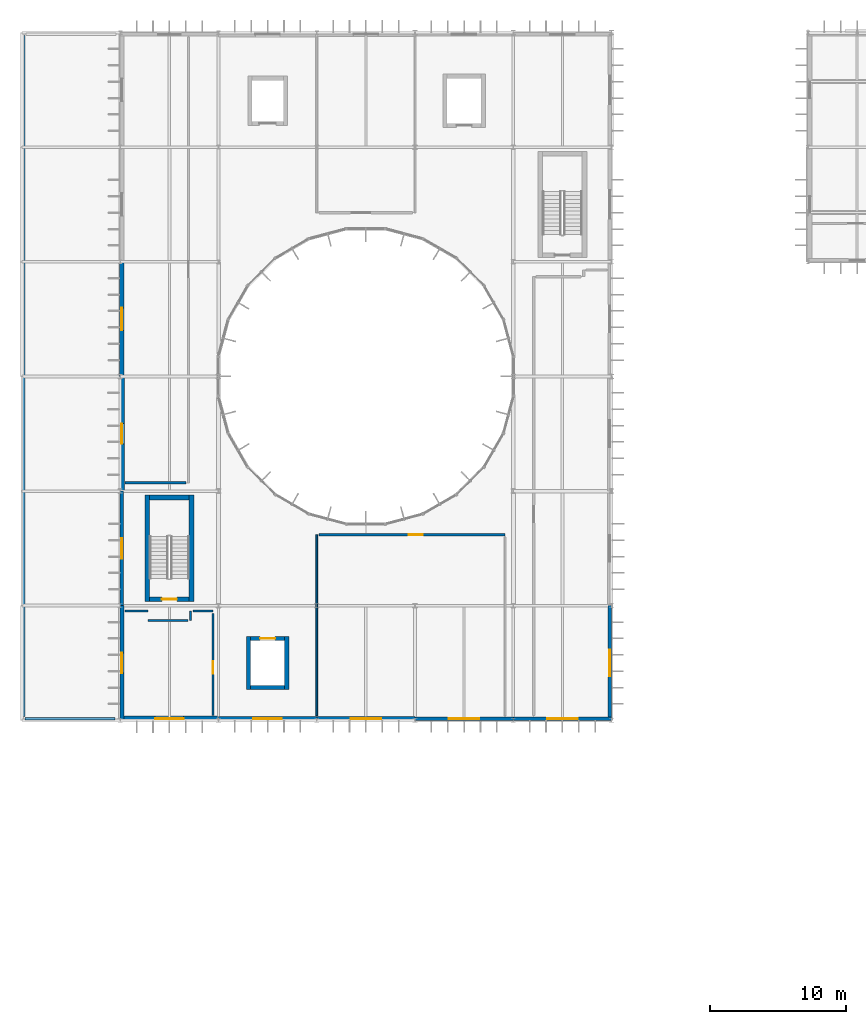
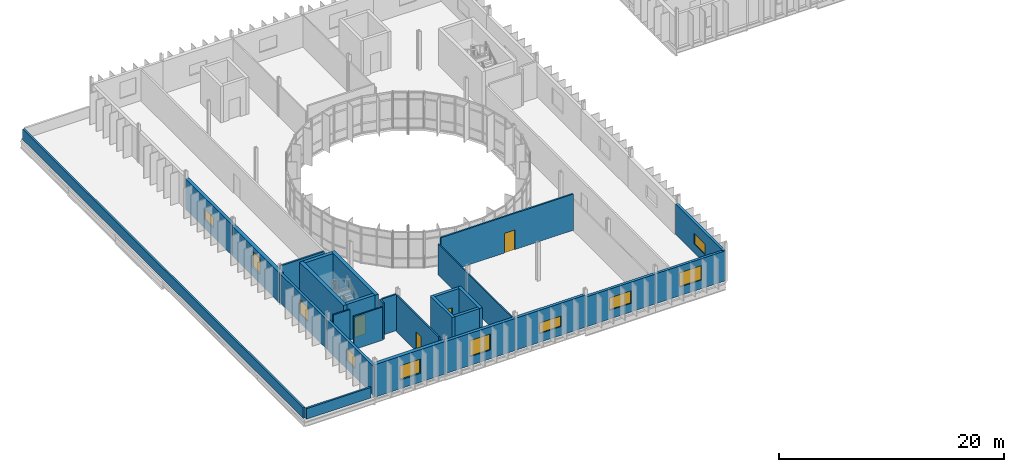
# One storey, part 37 of 52: 28 walls, 10 windows, 4 doors, 14 openings.
"""IFC4 building model written with IfcOpenShell, lengths in metres."""

from ifc_helpers import new_model, si_unit, direction, frame, frame_2d, origin, place, context, subcontext, project, spatial, rectangle, extrude, material, layer, layer_set, type_object, element, fill, save


model = new_model("IFC4")

# Units and contexts
model_context = context("Model", 3, precision=1e-05, world=origin(), true_north=direction((0.0, 1.0)))
body_context = subcontext(model_context, "Body", "Model", "MODEL_VIEW")
ifc_project = project(units=[si_unit("LENGTHUNIT", "METRE"), si_unit("AREAUNIT", "SQUARE_METRE"), si_unit("VOLUMEUNIT", "CUBIC_METRE"), si_unit("PLANEANGLEUNIT", "RADIAN"), si_unit("MASSUNIT", "GRAM", prefix="KILO")], contexts=[model_context])

# Site, building, storey
site_placement = place(None, origin())
site = spatial("IfcSite", under=ifc_project, at=site_placement, CompositionType="ELEMENT")
building_placement = place(site_placement, origin())
building = spatial("IfcBuilding", under=site, at=building_placement, Name="Qelthora Terrace Specialist Clinic", CompositionType="ELEMENT")
storey_placement = place(building_placement, frame((0.0, 0.0, 17.39990234375)))
storey = spatial("IfcBuildingStorey", under=building, at=storey_placement, Name="L04", CompositionType="ELEMENT", Elevation=17.39990234375)

# Walls
ifc_material_1 = material(Name="Concrete C40/50", Category="concrete")
ifc_layer_1 = layer(ifc_material_1, 0.300048828125)
ifc_layer_set_1 = layer_set([ifc_layer_1], Name="Concrete C40/50")
wall_type_1 = type_object("IfcWallType", Name="WAL-CORE-300-C40", PredefinedType="SHEAR", material=ifc_layer_set_1)
for number, where, z_axis, x_axis, name in (
    (1, (16.60009765625, 61.050048828125, 0.0), (0.0, 0.0, 1.0), (0.0, 1.0, 0.0), "Lift SL-01 L04 west shaft wall"),
    (2, (19.39990234375, 61.050048828125, 0.0), (0.0, 0.0, 1.0), (0.0, 1.0, 0.0), "Lift SL-01 L04 east shaft wall"),
):
    element("IfcWall", number, at=place(storey_placement, frame(where, z_axis=z_axis, x_axis=x_axis)), inside=storey, type_object=wall_type_1, Name=name, PredefinedType="SHEAR", context=body_context, shape_type="SweptSolid", body=[
        extrude(rectangle(XDim=3.89990234375, YDim=0.300048828125, at=frame_2d((1.949951171875, 0.0))), origin(), (0.0, 0.0, 1.0), 3.989990234375),
    ])

# Wall, opening, door
wall_1_placement = place(storey_placement, frame((16.75, 64.800048828125, 0.0), z_axis=(0.0, 0.0, 1.0), x_axis=(1.0, 0.0, 0.0)))
wall_1 = element("IfcWall", 3, at=wall_1_placement, inside=storey, type_object=wall_type_1, Name="Lift SL-01 L04 north shaft wall", PredefinedType="SHEAR", context=body_context, shape_type="SweptSolid", body=[
    extrude(rectangle(XDim=2.5, YDim=0.300048828125, at=frame_2d((1.25, 0.0))), origin(), (0.0, 0.0, 1.0), 3.989990234375),
])
opening_1_placement = place(wall_1_placement, frame((0.699951171875, 0.0, 0.0)))
opening_1 = element("IfcOpeningElement", 4, at=opening_1_placement, cuts=wall_1, Name="Opening LD-SL-01-L04", PredefinedType="OPENING", context=body_context, shape_type="SweptSolid", body=[
    extrude(rectangle(XDim=1.10009765625, YDim=2.14990234375, at=frame_2d((0.550048828125, 1.074951171875))), frame((0.0, 0.159912109375, 0.0), z_axis=(0.0, -1.0, 0.0), x_axis=(1.0, 0.0, 0.0)), (0.0, 0.0, 1.0), 0.320068359375),
])
ifc_material_2 = material(Name="Steel S355", Category="steel")
door_type_1 = type_object("IfcDoorType", Name="DOR-LIFT-1100X2150", OperationType="NOTDEFINED", PredefinedType="DOOR", material=ifc_material_2)
door_1_placement = place(opening_1_placement, origin())
door_1 = element("IfcDoor", 5, at=door_1_placement, inside=storey, type_object=door_type_1, Name="Lift landing sliding door LD-SL-01-L04", OperationType="DOUBLE_DOOR_SLIDING", OverallHeight=2.14990234375, OverallWidth=1.10009765625, PredefinedType="DOOR", context=body_context, shape_type="SweptSolid", body=[
    extrude(rectangle(XDim=1.10009765625, YDim=2.14990234375, at=frame_2d((0.550048828125, 1.074951171875))), frame((0.0, 0.02490234375, 0.0), z_axis=(0.0, -1.0, 0.0), x_axis=(1.0, 0.0, 0.0)), (0.0, 0.0, 1.0), 0.050048828125),
])
fill(opening_1, door_1)

# Walls
wall_2_placement = place(storey_placement, frame((16.75, 61.199951171875, 0.0), z_axis=(0.0, 0.0, 1.0), x_axis=(1.0, 0.0, 0.0)))
element("IfcWall", 6, at=wall_2_placement, inside=storey, type_object=wall_type_1, Name="Lift SL-01 L04 south shaft wall", PredefinedType="SHEAR", context=body_context, shape_type="SweptSolid", body=[
    extrude(rectangle(XDim=2.5, YDim=0.300048828125, at=frame_2d((1.25, 0.0))), origin(), (0.0, 0.0, 1.0), 3.989990234375),
])
ifc_layer_2 = layer(ifc_material_1, 0.35009765625)
ifc_layer_set_2 = layer_set([ifc_layer_2], Name="Concrete C40/50")
wall_type_2 = type_object("IfcWallType", Name="WAL-CORE-350-C40", PredefinedType="SHEAR", material=ifc_layer_set_2)
for number, where, z_axis, x_axis, name in (
    (7, (9.175048828125, 67.5, 0.0), (0.0, 0.0, 1.0), (0.0, 1.0, 0.0), "ST-01 L04 west shear core wall"),
    (8, (12.425048828125, 67.5, 0.0), (0.0, 0.0, 1.0), (0.0, 1.0, 0.0), "ST-01 L04 east shear core wall"),
):
    element("IfcWall", number, at=place(storey_placement, frame(where, z_axis=z_axis, x_axis=x_axis)), inside=storey, type_object=wall_type_2, Name=name, PredefinedType="SHEAR", context=body_context, shape_type="SweptSolid", body=[
        extrude(rectangle(XDim=7.800048828125, YDim=0.35009765625, at=frame_2d((3.89990234375, 0.0))), origin(), (0.0, 0.0, 1.0), 3.989990234375),
    ])
wall_3_placement = place(storey_placement, frame((9.35009765625, 75.125, 0.0), z_axis=(0.0, 0.0, 1.0), x_axis=(1.0, 0.0, 0.0)))
element("IfcWall", 9, at=wall_3_placement, inside=storey, type_object=wall_type_2, Name="ST-01 L04 north shear core wall", PredefinedType="SHEAR", context=body_context, shape_type="SweptSolid", body=[
    extrude(rectangle(XDim=2.89990234375, YDim=0.35009765625, at=frame_2d((1.449951171875, 0.0))), origin(), (0.0, 0.0, 1.0), 3.989990234375),
])

# Wall, opening, door
wall_4_placement = place(storey_placement, frame((9.35009765625, 67.675048828125, 0.0), z_axis=(0.0, 0.0, 1.0), x_axis=(1.0, 0.0, 0.0)))
wall_4 = element("IfcWall", 10, at=wall_4_placement, inside=storey, type_object=wall_type_2, Name="ST-01 L04 south shear core wall", PredefinedType="SHEAR", context=body_context, shape_type="SweptSolid", body=[
    extrude(rectangle(XDim=2.89990234375, YDim=0.35009765625, at=frame_2d((1.449951171875, 0.0))), origin(), (0.0, 0.0, 1.0), 3.989990234375),
])
opening_2_placement = place(wall_4_placement, frame((0.89990234375, 0.0, 0.0)))
opening_2 = element("IfcOpeningElement", 11, at=opening_2_placement, cuts=wall_4, Name="Opening D-ST-01-L04", PredefinedType="OPENING", context=body_context, shape_type="SweptSolid", body=[
    extrude(rectangle(XDim=1.10009765625, YDim=2.14990234375, at=frame_2d((0.550048828125, 1.074951171875))), frame((0.0, 0.18505859375, 0.0), z_axis=(0.0, -1.0, 0.0), x_axis=(1.0, 0.0, 0.0)), (0.0, 0.0, 1.0), 0.3701171875),
])
door_type_2 = type_object("IfcDoorType", Name="DOR-STAIR-1100X2150", OperationType="NOTDEFINED", PredefinedType="DOOR", material=ifc_material_2)
door_2_placement = place(opening_2_placement, origin())
door_2 = element("IfcDoor", 12, at=door_2_placement, inside=storey, type_object=door_type_2, Name="Stair fire door D-ST-01-L04", OperationType="SINGLE_SWING_LEFT", OverallHeight=2.14990234375, OverallWidth=1.10009765625, PredefinedType="DOOR", context=body_context, shape_type="SweptSolid", body=[
    extrude(rectangle(XDim=1.10009765625, YDim=2.14990234375, at=frame_2d((0.550048828125, 1.074951171875))), frame((0.0, 0.02490234375, 0.0), z_axis=(0.0, -1.0, 0.0), x_axis=(1.0, 0.0, 0.0)), (0.0, 0.0, 1.0), 0.050048828125),
])
fill(opening_2, door_2)

# Wall, opening, window
ifc_material_3 = material(Name="Precast concrete C40/50", Category="concrete")
ifc_layer_3 = layer(ifc_material_3, 0.260009765625)
ifc_layer_set_3 = layer_set([ifc_layer_3], Name="Precast concrete C40/50")
wall_type_3 = type_object("IfcWallType", Name="WAL-EXT-260-PC40", PredefinedType="SOLIDWALL", material=ifc_layer_set_3)
wall_5_placement = place(storey_placement, frame((7.320068359375, 67.199951171875, 0.0), z_axis=(0.0, 0.0, 1.0), x_axis=(0.0, 1.0, 0.0)))
wall_5 = element("IfcWall", 13, at=wall_5_placement, inside=storey, type_object=wall_type_3, Name="L04 external precast wall 379", PredefinedType="SOLIDWALL", context=body_context, shape_type="SweptSolid", body=[
    extrude(rectangle(XDim=8.400146484375, YDim=0.260009765625, at=frame_2d((4.2001953125, 0.0))), origin(), (0.0, 0.0, 1.0), 3.172119140625),
])
opening_3_placement = place(wall_5_placement, frame((3.449951171875, 0.0, 0.949951171875)))
opening_3 = element("IfcOpeningElement", 14, at=opening_3_placement, cuts=wall_5, Name="Opening WN-L04-335", PredefinedType="OPENING", context=body_context, shape_type="SweptSolid", body=[
    extrude(rectangle(XDim=1.5, YDim=1.550048828125, at=frame_2d((0.75, 0.77490234375))), frame((0.0, 0.139892578125, 0.0), z_axis=(0.0, -1.0, 0.0), x_axis=(1.0, 0.0, 0.0)), (0.0, 0.0, 1.0), 0.280029296875),
])
ifc_material_4 = material(Name="Low-E triple-silver insulating glass", Category="glass")
window_type_1 = type_object("IfcWindowType", Name="WIN-1500X1550", PartitioningType="SINGLE_PANEL", PredefinedType="WINDOW", material=ifc_material_4)
window_1_placement = place(opening_3_placement, origin())
window_1 = element("IfcWindow", 15, at=window_1_placement, inside=storey, type_object=window_type_1, Name="Clinical window WN-L04-335", OverallHeight=1.550048828125, OverallWidth=1.5, PartitioningType="SINGLE_PANEL", PredefinedType="WINDOW", context=body_context, shape_type="SweptSolid", body=[
    extrude(rectangle(XDim=1.5, YDim=1.550048828125, at=frame_2d((0.75, 0.77490234375))), frame((0.0, 0.030029296875, 0.0), z_axis=(0.0, -1.0, 0.0), x_axis=(1.0, 0.0, 0.0)), (0.0, 0.0, 1.0), 0.06005859375),
])
fill(opening_3, window_1)

wall_6_placement = place(storey_placement, frame((43.080078125, 58.800048828125, 0.0), z_axis=(0.0, 0.0, 1.0), x_axis=(0.0, 1.0, 0.0)))
wall_6 = element("IfcWall", 16, at=wall_6_placement, inside=storey, type_object=wall_type_3, Name="L04 external precast wall 389", PredefinedType="SOLIDWALL", context=body_context, shape_type="SweptSolid", body=[
    extrude(rectangle(XDim=8.39990234375, YDim=0.260009765625, at=frame_2d((4.199951171875, 0.0))), origin(), (0.0, 0.0, 1.0), 3.3251953125),
])
opening_4_placement = place(wall_6_placement, frame((3.22509765625, 0.0, 0.949951171875)))
opening_4 = element("IfcOpeningElement", 17, at=opening_4_placement, cuts=wall_6, Name="Opening WN-L04-345", PredefinedType="OPENING", context=body_context, shape_type="SweptSolid", body=[
    extrude(rectangle(XDim=1.949951171875, YDim=1.14990234375, at=frame_2d((0.97509765625, 0.574951171875))), frame((0.0, 0.139892578125, 0.0), z_axis=(0.0, -1.0, 0.0), x_axis=(1.0, 0.0, 0.0)), (0.0, 0.0, 1.0), 0.280029296875),
])
window_type_2 = type_object("IfcWindowType", Name="WIN-1950X1150", PartitioningType="DOUBLE_PANEL_VERTICAL", PredefinedType="WINDOW", material=ifc_material_4)
window_2_placement = place(opening_4_placement, origin())
window_2 = element("IfcWindow", 18, at=window_2_placement, inside=storey, type_object=window_type_2, Name="Clinical window WN-L04-345", OverallHeight=1.14990234375, OverallWidth=1.949951171875, PartitioningType="SINGLE_PANEL", PredefinedType="WINDOW", context=body_context, shape_type="SweptSolid", body=[
    extrude(rectangle(XDim=1.949951171875, YDim=1.14990234375, at=frame_2d((0.97509765625, 0.574951171875))), frame((0.0, 0.030029296875, 0.0), z_axis=(0.0, -1.0, 0.0), x_axis=(1.0, 0.0, 0.0)), (0.0, 0.0, 1.0), 0.06005859375),
])
fill(opening_4, window_2)

wall_7_placement = place(storey_placement, frame((36.0, 58.919921875, 0.0), z_axis=(0.0, 0.0, 1.0), x_axis=(1.0, 0.0, 0.0)))
wall_7 = element("IfcWall", 19, at=wall_7_placement, inside=storey, type_object=wall_type_3, Name="L04 external precast wall 399", PredefinedType="SOLIDWALL", context=body_context, shape_type="SweptSolid", body=[
    extrude(rectangle(XDim=7.199951171875, YDim=0.260009765625, at=frame_2d((3.60009765625, 0.0))), origin(), (0.0, 0.0, 1.0), 3.2490234375),
])
opening_5_placement = place(wall_7_placement, frame((2.47509765625, 0.0, 0.949951171875)))
opening_5 = element("IfcOpeningElement", 20, at=opening_5_placement, cuts=wall_7, Name="Opening WN-L04-355", PredefinedType="OPENING", context=body_context, shape_type="SweptSolid", body=[
    extrude(rectangle(XDim=2.25, YDim=1.550048828125, at=frame_2d((1.125, 0.77490234375))), frame((0.0, 0.139892578125, 0.0), z_axis=(0.0, -1.0, 0.0), x_axis=(1.0, 0.0, 0.0)), (0.0, 0.0, 1.0), 0.280029296875),
])
window_type_3 = type_object("IfcWindowType", Name="WIN-2250X1550", PartitioningType="DOUBLE_PANEL_VERTICAL", PredefinedType="WINDOW", material=ifc_material_4)
window_3_placement = place(opening_5_placement, origin())
window_3 = element("IfcWindow", 21, at=window_3_placement, inside=storey, type_object=window_type_3, Name="Clinical window WN-L04-355", OverallHeight=1.550048828125, OverallWidth=2.25, PartitioningType="SINGLE_PANEL", PredefinedType="WINDOW", context=body_context, shape_type="SweptSolid", body=[
    extrude(rectangle(XDim=2.25, YDim=1.550048828125, at=frame_2d((1.125, 0.77490234375))), frame((0.0, 0.030029296875, 0.0), z_axis=(0.0, -1.0, 0.0), x_axis=(1.0, 0.0, 0.0)), (0.0, 0.0, 1.0), 0.06005859375),
])
fill(opening_5, window_3)

ifc_layer_4 = layer(ifc_material_3, 0.280029296875)
ifc_layer_set_4 = layer_set([ifc_layer_4], Name="Precast concrete C40/50")
wall_type_4 = type_object("IfcWallType", Name="WAL-EXT-280-PC40", PredefinedType="SOLIDWALL", material=ifc_layer_set_4)
wall_8_placement = place(storey_placement, frame((7.320068359375, 58.800048828125, 0.0), z_axis=(0.0, 0.0, 1.0), x_axis=(0.0, 1.0, 0.0)))
wall_8 = element("IfcWall", 22, at=wall_8_placement, inside=storey, type_object=wall_type_4, Name="L04 external precast wall 378", PredefinedType="SOLIDWALL", context=body_context, shape_type="SweptSolid", body=[
    extrude(rectangle(XDim=8.39990234375, YDim=0.280029296875, at=frame_2d((4.199951171875, 0.0))), origin(), (0.0, 0.0, 1.0), 3.172119140625),
])
opening_6_placement = place(wall_8_placement, frame((3.449951171875, 0.0, 0.949951171875)))
opening_6 = element("IfcOpeningElement", 23, at=opening_6_placement, cuts=wall_8, Name="Opening WN-L04-334", PredefinedType="OPENING", context=body_context, shape_type="SweptSolid", body=[
    extrude(rectangle(XDim=1.5, YDim=1.35009765625, at=frame_2d((0.75, 0.675048828125))), frame((0.0, 0.14990234375, 0.0), z_axis=(0.0, -1.0, 0.0), x_axis=(1.0, 0.0, 0.0)), (0.0, 0.0, 1.0), 0.300048828125),
])
window_type_4 = type_object("IfcWindowType", Name="WIN-1500X1350", PartitioningType="SINGLE_PANEL", PredefinedType="WINDOW", material=ifc_material_4)
window_4_placement = place(opening_6_placement, origin())
window_4 = element("IfcWindow", 24, at=window_4_placement, inside=storey, type_object=window_type_4, Name="Clinical window WN-L04-334", OverallHeight=1.35009765625, OverallWidth=1.5, PartitioningType="SINGLE_PANEL", PredefinedType="WINDOW", context=body_context, shape_type="SweptSolid", body=[
    extrude(rectangle(XDim=1.5, YDim=1.35009765625, at=frame_2d((0.75, 0.675048828125))), frame((0.0, 0.030029296875, 0.0), z_axis=(0.0, -1.0, 0.0), x_axis=(1.0, 0.0, 0.0)), (0.0, 0.0, 1.0), 0.06005859375),
])
fill(opening_6, window_4)

wall_9_placement = place(storey_placement, frame((28.800048828125, 58.919921875, 0.0), z_axis=(0.0, 0.0, 1.0), x_axis=(1.0, 0.0, 0.0)))
wall_9 = element("IfcWall", 25, at=wall_9_placement, inside=storey, type_object=wall_type_4, Name="L04 external precast wall 398", PredefinedType="SOLIDWALL", context=body_context, shape_type="SweptSolid", body=[
    extrude(rectangle(XDim=7.199951171875, YDim=0.280029296875, at=frame_2d((3.60009765625, 0.0))), origin(), (0.0, 0.0, 1.0), 3.2490234375),
])
opening_7_placement = place(wall_9_placement, frame((2.47509765625, 0.0, 0.949951171875)))
opening_7 = element("IfcOpeningElement", 26, at=opening_7_placement, cuts=wall_9, Name="Opening WN-L04-354", PredefinedType="OPENING", context=body_context, shape_type="SweptSolid", body=[
    extrude(rectangle(XDim=2.25, YDim=1.35009765625, at=frame_2d((1.125, 0.675048828125))), frame((0.0, 0.14990234375, 0.0), z_axis=(0.0, -1.0, 0.0), x_axis=(1.0, 0.0, 0.0)), (0.0, 0.0, 1.0), 0.300048828125),
])
window_type_5 = type_object("IfcWindowType", Name="WIN-2250X1350", PartitioningType="DOUBLE_PANEL_VERTICAL", PredefinedType="WINDOW", material=ifc_material_4)
window_5_placement = place(opening_7_placement, origin())
window_5 = element("IfcWindow", 27, at=window_5_placement, inside=storey, type_object=window_type_5, Name="Clinical window WN-L04-354", OverallHeight=1.35009765625, OverallWidth=2.25, PartitioningType="SINGLE_PANEL", PredefinedType="WINDOW", context=body_context, shape_type="SweptSolid", body=[
    extrude(rectangle(XDim=2.25, YDim=1.35009765625, at=frame_2d((1.125, 0.675048828125))), frame((0.0, 0.030029296875, 0.0), z_axis=(0.0, -1.0, 0.0), x_axis=(1.0, 0.0, 0.0)), (0.0, 0.0, 1.0), 0.06005859375),
])
fill(opening_7, window_5)

ifc_layer_5 = layer(ifc_material_3, 0.300048828125)
ifc_layer_set_5 = layer_set([ifc_layer_5], Name="Precast concrete C40/50")
wall_type_5 = type_object("IfcWallType", Name="WAL-EXT-300-PC40", PredefinedType="SOLIDWALL", material=ifc_layer_set_5)
wall_10_placement = place(storey_placement, frame((21.60009765625, 58.919921875, 0.0), z_axis=(0.0, 0.0, 1.0), x_axis=(1.0, 0.0, 0.0)))
wall_10 = element("IfcWall", 28, at=wall_10_placement, inside=storey, type_object=wall_type_5, Name="L04 external precast wall 397", PredefinedType="SOLIDWALL", context=body_context, shape_type="SweptSolid", body=[
    extrude(rectangle(XDim=7.199951171875, YDim=0.300048828125, at=frame_2d((3.60009765625, 0.0))), origin(), (0.0, 0.0, 1.0), 3.482177734375),
])
opening_8_placement = place(wall_10_placement, frame((2.47509765625, 0.0, 0.949951171875)))
opening_8 = element("IfcOpeningElement", 29, at=opening_8_placement, cuts=wall_10, Name="Opening WN-L04-353", PredefinedType="OPENING", context=body_context, shape_type="SweptSolid", body=[
    extrude(rectangle(XDim=2.25, YDim=1.14990234375, at=frame_2d((1.125, 0.574951171875))), frame((0.0, 0.159912109375, 0.0), z_axis=(0.0, -1.0, 0.0), x_axis=(1.0, 0.0, 0.0)), (0.0, 0.0, 1.0), 0.320068359375),
])
window_type_6 = type_object("IfcWindowType", Name="WIN-2250X1150", PartitioningType="DOUBLE_PANEL_VERTICAL", PredefinedType="WINDOW", material=ifc_material_4)
window_6_placement = place(opening_8_placement, origin())
window_6 = element("IfcWindow", 30, at=window_6_placement, inside=storey, type_object=window_type_6, Name="Clinical window WN-L04-353", OverallHeight=1.14990234375, OverallWidth=2.25, PartitioningType="SINGLE_PANEL", PredefinedType="WINDOW", context=body_context, shape_type="SweptSolid", body=[
    extrude(rectangle(XDim=2.25, YDim=1.14990234375, at=frame_2d((1.125, 0.574951171875))), frame((0.0, 0.030029296875, 0.0), z_axis=(0.0, -1.0, 0.0), x_axis=(1.0, 0.0, 0.0)), (0.0, 0.0, 1.0), 0.06005859375),
])
fill(opening_8, window_6)

ifc_layer_6 = layer(ifc_material_3, 0.320068359375)
ifc_layer_set_6 = layer_set([ifc_layer_6], Name="Precast concrete C40/50")
wall_type_6 = type_object("IfcWallType", Name="WAL-EXT-320-PC40", PredefinedType="SOLIDWALL", material=ifc_layer_set_6)
wall_11_placement = place(storey_placement, frame((7.320068359375, 84.0, 0.0), z_axis=(0.0, 0.0, 1.0), x_axis=(0.0, 1.0, 0.0)))
wall_11 = element("IfcWall", 31, at=wall_11_placement, inside=storey, type_object=wall_type_6, Name="L04 external precast wall 381", PredefinedType="SOLIDWALL", context=body_context, shape_type="SweptSolid", body=[
    extrude(rectangle(XDim=8.39990234375, YDim=0.320068359375, at=frame_2d((4.199951171875, 0.0))), origin(), (0.0, 0.0, 1.0), 3.3251953125),
])
opening_9_placement = place(wall_11_placement, frame((3.375, 0.0, 0.949951171875)))
opening_9 = element("IfcOpeningElement", 32, at=opening_9_placement, cuts=wall_11, Name="Opening WN-L04-337", PredefinedType="OPENING", context=body_context, shape_type="SweptSolid", body=[
    extrude(rectangle(XDim=1.64990234375, YDim=1.14990234375, at=frame_2d((0.824951171875, 0.574951171875))), frame((0.0, 0.169921875, 0.0), z_axis=(0.0, -1.0, 0.0), x_axis=(1.0, 0.0, 0.0)), (0.0, 0.0, 1.0), 0.340087890625),
])
window_type_7 = type_object("IfcWindowType", Name="WIN-1650X1150", PartitioningType="DOUBLE_PANEL_VERTICAL", PredefinedType="WINDOW", material=ifc_material_4)
window_7_placement = place(opening_9_placement, origin())
window_7 = element("IfcWindow", 33, at=window_7_placement, inside=storey, type_object=window_type_7, Name="Clinical window WN-L04-337", OverallHeight=1.14990234375, OverallWidth=1.64990234375, PartitioningType="SINGLE_PANEL", PredefinedType="WINDOW", context=body_context, shape_type="SweptSolid", body=[
    extrude(rectangle(XDim=1.64990234375, YDim=1.14990234375, at=frame_2d((0.824951171875, 0.574951171875))), frame((0.0, 0.030029296875, 0.0), z_axis=(0.0, -1.0, 0.0), x_axis=(1.0, 0.0, 0.0)), (0.0, 0.0, 1.0), 0.06005859375),
])
fill(opening_9, window_7)

wall_12_placement = place(storey_placement, frame((14.39990234375, 58.919921875, 0.0), z_axis=(0.0, 0.0, 1.0), x_axis=(1.0, 0.0, 0.0)))
wall_12 = element("IfcWall", 34, at=wall_12_placement, inside=storey, type_object=wall_type_6, Name="L04 external precast wall 396", PredefinedType="SOLIDWALL", context=body_context, shape_type="SweptSolid", body=[
    extrude(rectangle(XDim=7.2001953125, YDim=0.320068359375, at=frame_2d((3.60009765625, 0.0))), origin(), (0.0, 0.0, 1.0), 3.482177734375),
])
opening_10_placement = place(wall_12_placement, frame((2.550048828125, 0.0, 0.949951171875)))
opening_10 = element("IfcOpeningElement", 35, at=opening_10_placement, cuts=wall_12, Name="Opening WN-L04-352", PredefinedType="OPENING", context=body_context, shape_type="SweptSolid", body=[
    extrude(rectangle(XDim=2.10009765625, YDim=1.75, at=frame_2d((1.050048828125, 0.875))), frame((0.0, 0.169921875, 0.0), z_axis=(0.0, -1.0, 0.0), x_axis=(1.0, 0.0, 0.0)), (0.0, 0.0, 1.0), 0.340087890625),
])
window_type_8 = type_object("IfcWindowType", Name="WIN-2100X1750", PartitioningType="DOUBLE_PANEL_VERTICAL", PredefinedType="WINDOW", material=ifc_material_4)
window_8_placement = place(opening_10_placement, origin())
window_8 = element("IfcWindow", 36, at=window_8_placement, inside=storey, type_object=window_type_8, Name="Clinical window WN-L04-352", OverallHeight=1.75, OverallWidth=2.10009765625, PartitioningType="SINGLE_PANEL", PredefinedType="WINDOW", context=body_context, shape_type="SweptSolid", body=[
    extrude(rectangle(XDim=2.10009765625, YDim=1.75, at=frame_2d((1.050048828125, 0.875))), frame((0.0, 0.030029296875, 0.0), z_axis=(0.0, -1.0, 0.0), x_axis=(1.0, 0.0, 0.0)), (0.0, 0.0, 1.0), 0.06005859375),
])
fill(opening_10, window_8)

ifc_layer_7 = layer(ifc_material_3, 0.3798828125)
ifc_layer_set_7 = layer_set([ifc_layer_7], Name="Precast concrete C40/50")
wall_type_7 = type_object("IfcWallType", Name="WAL-EXT-380-PC40", PredefinedType="SOLIDWALL", material=ifc_layer_set_7)
wall_13_placement = place(storey_placement, frame((7.320068359375, 75.60009765625, 0.0), z_axis=(0.0, 0.0, 1.0), x_axis=(0.0, 1.0, 0.0)))
wall_13 = element("IfcWall", 37, at=wall_13_placement, inside=storey, type_object=wall_type_7, Name="L04 external precast wall 380", PredefinedType="SOLIDWALL", context=body_context, shape_type="SweptSolid", body=[
    extrude(rectangle(XDim=8.39990234375, YDim=0.3798828125, at=frame_2d((4.199951171875, 0.0))), origin(), (0.0, 0.0, 1.0), 3.2490234375),
])
opening_11_placement = place(wall_13_placement, frame((3.449951171875, 0.0, 0.949951171875)))
opening_11 = element("IfcOpeningElement", 38, at=opening_11_placement, cuts=wall_13, Name="Opening WN-L04-336", PredefinedType="OPENING", context=body_context, shape_type="SweptSolid", body=[
    extrude(rectangle(XDim=1.5, YDim=1.75, at=frame_2d((0.75, 0.875))), frame((0.0, 0.199951171875, 0.0), z_axis=(0.0, -1.0, 0.0), x_axis=(1.0, 0.0, 0.0)), (0.0, 0.0, 1.0), 0.39990234375),
])
window_type_9 = type_object("IfcWindowType", Name="WIN-1500X1750", PartitioningType="SINGLE_PANEL", PredefinedType="WINDOW", material=ifc_material_4)
window_9_placement = place(opening_11_placement, origin())
window_9 = element("IfcWindow", 39, at=window_9_placement, inside=storey, type_object=window_type_9, Name="Clinical window WN-L04-336", OverallHeight=1.75, OverallWidth=1.5, PartitioningType="SINGLE_PANEL", PredefinedType="WINDOW", context=body_context, shape_type="SweptSolid", body=[
    extrude(rectangle(XDim=1.5, YDim=1.75, at=frame_2d((0.75, 0.875))), frame((0.0, 0.030029296875, 0.0), z_axis=(0.0, -1.0, 0.0), x_axis=(1.0, 0.0, 0.0)), (0.0, 0.0, 1.0), 0.06005859375),
])
fill(opening_11, window_9)

wall_14_placement = place(storey_placement, frame((7.199951171875, 58.919921875, 0.0), z_axis=(0.0, 0.0, 1.0), x_axis=(1.0, 0.0, 0.0)))
wall_14 = element("IfcWall", 40, at=wall_14_placement, inside=storey, type_object=wall_type_7, Name="L04 external precast wall 395", PredefinedType="SOLIDWALL", context=body_context, shape_type="SweptSolid", body=[
    extrude(rectangle(XDim=7.199951171875, YDim=0.3798828125, at=frame_2d((3.60009765625, 0.0))), origin(), (0.0, 0.0, 1.0), 3.529052734375),
])
opening_12_placement = place(wall_14_placement, frame((2.550048828125, 0.0, 0.949951171875)))
opening_12 = element("IfcOpeningElement", 41, at=opening_12_placement, cuts=wall_14, Name="Opening WN-L04-351", PredefinedType="OPENING", context=body_context, shape_type="SweptSolid", body=[
    extrude(rectangle(XDim=2.10009765625, YDim=1.550048828125, at=frame_2d((1.050048828125, 0.77490234375))), frame((0.0, 0.199951171875, 0.0), z_axis=(0.0, -1.0, 0.0), x_axis=(1.0, 0.0, 0.0)), (0.0, 0.0, 1.0), 0.39990234375),
])
window_type_10 = type_object("IfcWindowType", Name="WIN-2100X1550", PartitioningType="DOUBLE_PANEL_VERTICAL", PredefinedType="WINDOW", material=ifc_material_4)
window_10_placement = place(opening_12_placement, origin())
window_10 = element("IfcWindow", 42, at=window_10_placement, inside=storey, type_object=window_type_10, Name="Clinical window WN-L04-351", OverallHeight=1.550048828125, OverallWidth=2.10009765625, PartitioningType="SINGLE_PANEL", PredefinedType="WINDOW", context=body_context, shape_type="SweptSolid", body=[
    extrude(rectangle(XDim=2.10009765625, YDim=1.550048828125, at=frame_2d((1.050048828125, 0.77490234375))), frame((0.0, 0.030029296875, 0.0), z_axis=(0.0, -1.0, 0.0), x_axis=(1.0, 0.0, 0.0)), (0.0, 0.0, 1.0), 0.06005859375),
])
fill(opening_12, window_10)

# Wall
ifc_material_5 = material(Name="Gypsum fire-rated wallboard", Category="gypsum")
ifc_layer_8 = layer(ifc_material_5, 0.179931640625)
ifc_layer_set_8 = layer_set([ifc_layer_8], Name="Gypsum fire-rated wallboard")
wall_type_8 = type_object("IfcWallType", Name="WAL-INT-CLN-180", PredefinedType="PARTITIONING", material=ifc_layer_set_8)
wall_15_placement = place(storey_placement, frame((12.02001953125, 76.199951171875, 0.0), z_axis=(0.0, 0.0, 1.0), x_axis=(-1.0, 0.0, 0.0)))
element("IfcWall", 43, at=wall_15_placement, inside=storey, type_object=wall_type_8, Name="Interior clinical partition IWAL-L04-0369", PredefinedType="PARTITIONING", context=body_context, shape_type="SweptSolid", body=[
    extrude(rectangle(XDim=4.47998046875, YDim=0.179931640625, at=frame_2d((2.239990234375, 0.0))), origin(), (0.0, 0.0, 1.0), 3.587158203125),
])

# Wall, opening, door
ifc_layer_9 = layer(ifc_material_5, 0.159912109375)
ifc_layer_set_9 = layer_set([ifc_layer_9], Name="Gypsum fire-rated wallboard")
wall_type_9 = type_object("IfcWallType", Name="WAL-INT-COR-160", PredefinedType="PARTITIONING", material=ifc_layer_set_9)
wall_16_placement = place(storey_placement, frame((21.780029296875, 72.39990234375, 0.0), z_axis=(0.0, 0.0, 1.0), x_axis=(1.0, 0.0, 0.0)))
wall_16 = element("IfcWall", 44, at=wall_16_placement, inside=storey, type_object=wall_type_9, Name="Interior clinical partition IWAL-L04-0391", PredefinedType="PARTITIONING", context=body_context, shape_type="SweptSolid", body=[
    extrude(rectangle(XDim=13.619873046875, YDim=0.159912109375, at=frame_2d((6.81005859375, 0.0))), origin(), (0.0, 0.0, 1.0), 3.945068359375),
])
opening_13_placement = place(wall_16_placement, frame((6.56005859375, 0.0, 0.0)))
opening_13 = element("IfcOpeningElement", 45, at=opening_13_placement, cuts=wall_16, Name="Opening DI-L04-0157", PredefinedType="OPENING", context=body_context, shape_type="SweptSolid", body=[
    extrude(rectangle(XDim=1.0400390625, YDim=2.14990234375, at=frame_2d((0.52001953125, 1.074951171875))), frame((0.0, 0.08984375, 0.0), z_axis=(0.0, -1.0, 0.0), x_axis=(1.0, 0.0, 0.0)), (0.0, 0.0, 1.0), 0.179931640625),
])
ifc_material_6 = material(Name="Glulam timber GL28h", Category="wood")
door_type_3 = type_object("IfcDoorType", Name="DOR-CON-1040X2150", OperationType="NOTDEFINED", PredefinedType="DOOR", material=ifc_material_6)
door_3_placement = place(opening_13_placement, frame((1.0400390625, 0.0, 0.0), z_axis=(0.0, 0.0, 1.0), x_axis=(-1.0, 0.0, 0.0)))
door_3 = element("IfcDoor", 46, at=door_3_placement, inside=storey, type_object=door_type_3, Name="Interior clinical door DI-L04-0157", OperationType="SINGLE_SWING_RIGHT", OverallHeight=2.14990234375, OverallWidth=1.0400390625, PredefinedType="DOOR", context=body_context, shape_type="SweptSolid", body=[
    extrude(rectangle(XDim=1.0400390625, YDim=2.14990234375, at=frame_2d((0.52001953125, 1.074951171875))), frame((0.0, 0.02490234375, 0.0), z_axis=(0.0, -1.0, 0.0), x_axis=(1.0, 0.0, 0.0)), (0.0, 0.0, 1.0), 0.050048828125),
])
fill(opening_13, door_3)

# Walls
ifc_material_7 = material(Name="Gypsum acoustic wallboard", Category="gypsum")
ifc_layer_10 = layer(ifc_material_7, 0.1201171875)
ifc_layer_set_10 = layer_set([ifc_layer_10], Name="Gypsum acoustic wallboard")
wall_type_10 = type_object("IfcWallType", Name="WAL-INT-STD-120", PredefinedType="PARTITIONING", material=ifc_layer_set_10)
wall_17_placement = place(storey_placement, frame((21.60009765625, 59.139892578125, 0.0), z_axis=(0.0, 0.0, 1.0), x_axis=(0.0, 1.0, 0.0)))
element("IfcWall", 47, at=wall_17_placement, inside=storey, type_object=wall_type_10, Name="Interior clinical partition IWAL-L04-0390", PredefinedType="PARTITIONING", context=body_context, shape_type="SweptSolid", body=[
    extrude(rectangle(XDim=13.260009765625, YDim=0.1201171875, at=frame_2d((6.6298828125, 0.0))), origin(), (0.0, 0.0, 1.0), 3.328125),
])
ifc_material_8 = material(Name="Gypsum moisture-resistant", Category="gypsum")
ifc_layer_11 = layer(ifc_material_8, 0.14990234375)
ifc_layer_set_11 = layer_set([ifc_layer_11], Name="Gypsum moisture-resistant")
wall_type_11 = type_object("IfcWallType", Name="WAL-INT-WET-150", PredefinedType="PLUMBINGWALL", material=ifc_layer_set_11)
wall_18_placement = place(storey_placement, frame((12.360107421875, 66.114990234375, 0.0), z_axis=(0.0, 0.0, 1.0), x_axis=(0.0, 1.0, 0.0)))
element("IfcWall", 48, at=wall_18_placement, inside=storey, type_object=wall_type_11, Name="Interior clinical partition IWAL-L04-0377", PredefinedType="PLUMBINGWALL", context=body_context, shape_type="SweptSolid", body=[
    extrude(rectangle(XDim=0.68505859375, YDim=0.14990234375, at=frame_2d((0.342529296875, 0.0))), origin(), (0.0, 0.0, 1.0), 3.945068359375),
])
wall_19_placement = place(storey_placement, frame((12.5400390625, 66.800048828125, 0.0), z_axis=(0.0, 0.0, 1.0), x_axis=(1.0, 0.0, 0.0)))
element("IfcWall", 49, at=wall_19_placement, inside=storey, type_object=wall_type_11, Name="Interior clinical partition IWAL-L04-0378", PredefinedType="PLUMBINGWALL", context=body_context, shape_type="SweptSolid", body=[
    extrude(rectangle(XDim=1.4599609375, YDim=0.14990234375, at=frame_2d((0.72998046875, 0.0))), origin(), (0.0, 0.0, 1.0), 3.945068359375),
])

# Wall, opening, door
wall_20_placement = place(storey_placement, frame((14.0, 66.6201171875, 0.0), z_axis=(0.0, 0.0, 1.0), x_axis=(0.0, -1.0, 0.0)))
wall_20 = element("IfcWall", 50, at=wall_20_placement, inside=storey, type_object=wall_type_11, Name="Interior clinical partition IWAL-L04-0379", PredefinedType="PLUMBINGWALL", context=body_context, shape_type="SweptSolid", body=[
    extrude(rectangle(XDim=7.480224609375, YDim=0.14990234375, at=frame_2d((3.740234375, 0.0))), origin(), (0.0, 0.0, 1.0), 3.945068359375),
])
opening_14_placement = place(wall_20_placement, frame((3.489990234375, 0.0, 0.0)))
opening_14 = element("IfcOpeningElement", 51, at=opening_14_placement, cuts=wall_20, Name="Opening DI-L04-0152", PredefinedType="OPENING", context=body_context, shape_type="SweptSolid", body=[
    extrude(rectangle(XDim=0.89990234375, YDim=2.10009765625, at=frame_2d((0.449951171875, 1.050048828125))), frame((0.0, 0.0849609375, 0.0), z_axis=(0.0, -1.0, 0.0), x_axis=(1.0, 0.0, 0.0)), (0.0, 0.0, 1.0), 0.169921875),
])
door_type_4 = type_object("IfcDoorType", Name="DOR-WC-900X2100", OperationType="NOTDEFINED", PredefinedType="DOOR", material=ifc_material_6)
door_4_placement = place(opening_14_placement, frame((0.89990234375, 0.0, 0.0), z_axis=(0.0, 0.0, 1.0), x_axis=(-1.0, 0.0, 0.0)))
door_4 = element("IfcDoor", 52, at=door_4_placement, inside=storey, type_object=door_type_4, Name="Interior clinical door DI-L04-0152", OperationType="SINGLE_SWING_LEFT", OverallHeight=2.10009765625, OverallWidth=0.89990234375, PredefinedType="DOOR", context=body_context, shape_type="SweptSolid", body=[
    extrude(rectangle(XDim=0.89990234375, YDim=2.10009765625, at=frame_2d((0.449951171875, 1.050048828125))), frame((0.0, 0.02490234375, 0.0), z_axis=(0.0, -1.0, 0.0), x_axis=(1.0, 0.0, 0.0)), (0.0, 0.0, 1.0), 0.050048828125),
])
fill(opening_14, door_4)

# Walls
wall_21_placement = place(storey_placement, frame((7.5400390625, 66.800048828125, 0.0), z_axis=(0.0, 0.0, 1.0), x_axis=(1.0, 0.0, 0.0)))
element("IfcWall", 53, at=wall_21_placement, inside=storey, type_object=wall_type_11, Name="Interior clinical partition IWAL-L04-0380", PredefinedType="PLUMBINGWALL", context=body_context, shape_type="SweptSolid", body=[
    extrude(rectangle(XDim=1.699951171875, YDim=0.14990234375, at=frame_2d((0.85009765625, 0.0))), origin(), (0.0, 0.0, 1.0), 3.945068359375),
])
wall_22_placement = place(storey_placement, frame((9.239990234375, 66.114990234375, 0.0), z_axis=(0.0, 0.0, 1.0), x_axis=(1.0, 0.0, 0.0)))
element("IfcWall", 54, at=wall_22_placement, inside=storey, type_object=wall_type_11, Name="Interior clinical partition IWAL-L04-0381", PredefinedType="PLUMBINGWALL", context=body_context, shape_type="SweptSolid", body=[
    extrude(rectangle(XDim=2.93994140625, YDim=0.14990234375, at=frame_2d((1.469970703125, 0.0))), origin(), (0.0, 0.0, 1.0), 3.59814453125),
])
ifc_layer_12 = layer(ifc_material_3, 0.18994140625)
ifc_layer_set_12 = layer_set([ifc_layer_12], Name="Precast concrete C40/50")
wall_type_12 = type_object("IfcWallType", Name="WAL-PAR-190-PC40", PredefinedType="PARAPET", material=ifc_layer_set_12)
wall_23_placement = place(storey_placement, frame((6.83056640625, 58.909912109375, 0.0), z_axis=(0.0, 0.0, 1.0), x_axis=(-1.0, 0.0, 0.0)))
element("IfcWall", 55, at=wall_23_placement, inside=storey, type_object=wall_type_12, Name="Roof perimeter parapet ROOF-V5-STP5A-1-1", PredefinedType="PARAPET", context=body_context, shape_type="SweptSolid", body=[
    extrude(rectangle(XDim=6.610595703125, YDim=0.18994140625, at=frame_2d((3.30517578125, 0.0))), origin(), (0.0, 0.0, 1.0), 1.150146484375),
])
wall_24_placement = place(storey_placement, frame((0.110107421875, 59.076904296875, 0.0), z_axis=(0.0, 0.0, 1.0), x_axis=(0.0, 1.0, 0.0)))
element("IfcWall", 56, at=wall_24_placement, inside=storey, type_object=wall_type_12, Name="Roof perimeter parapet ROOF-V5-STP5A-1-2", PredefinedType="PARAPET", context=body_context, shape_type="SweptSolid", body=[
    extrude(rectangle(XDim=49.903076171875, YDim=0.18994140625, at=frame_2d((24.95166015625, 0.0))), origin(), (0.0, 0.0, 1.0), 1.150146484375),
])

save(model, "model.ifc")
